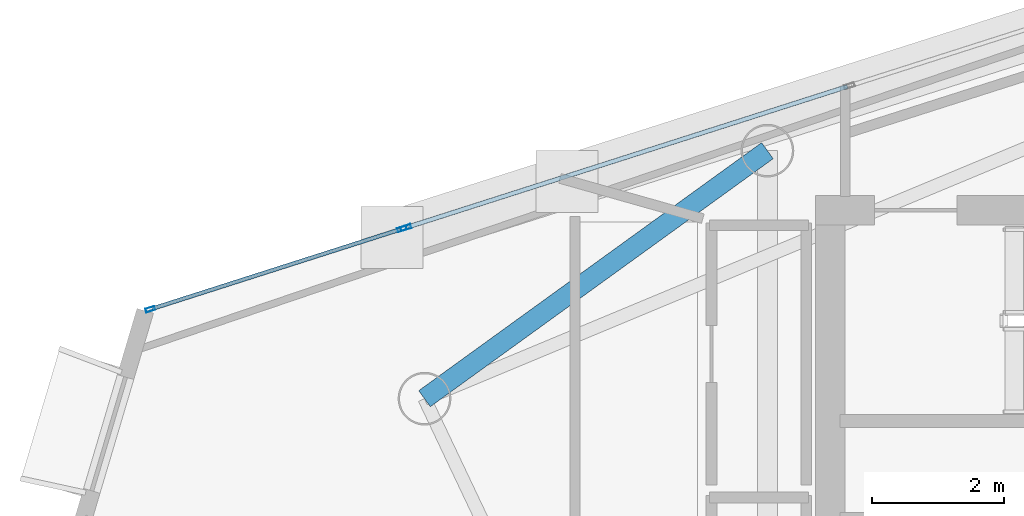
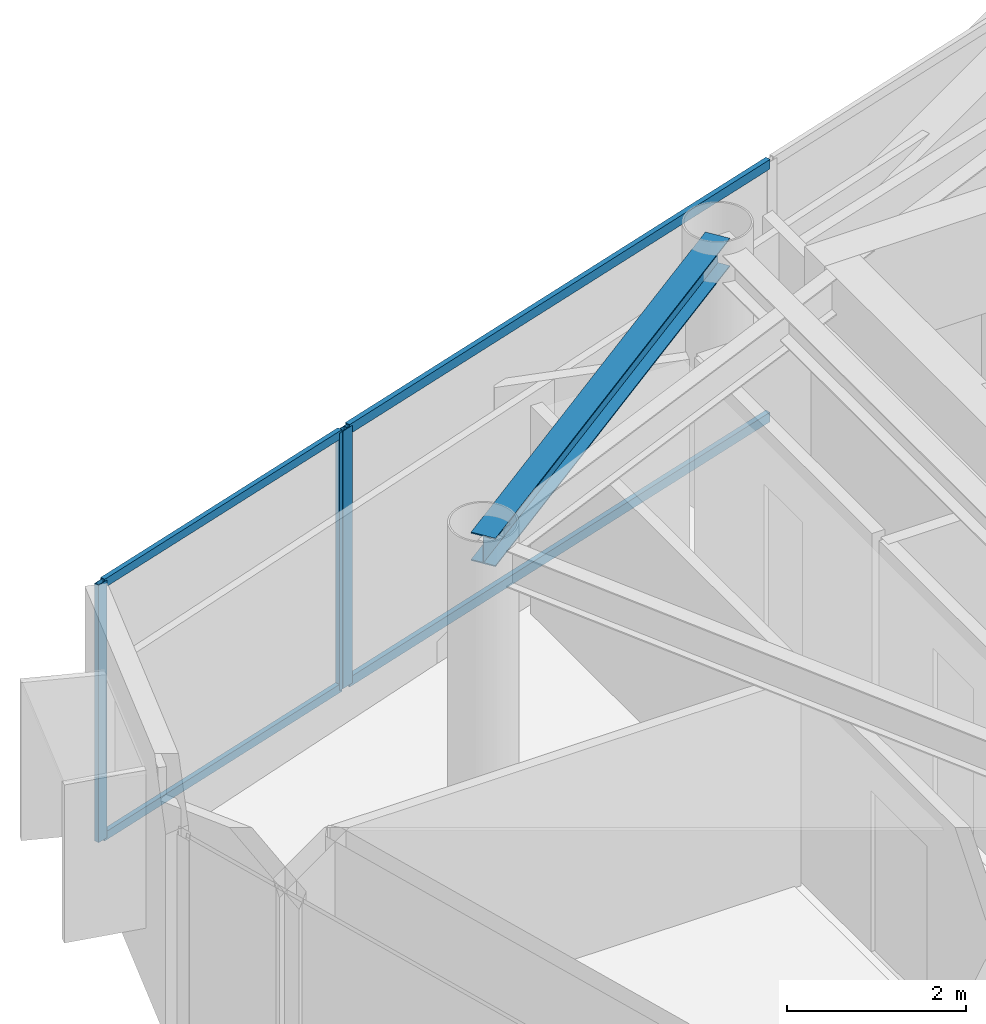
# One storey, part 8 of 19: 7 members, 1 beam, 2 elements without a shape of their own.
"""IFC4 building model written with IfcOpenShell, lengths in metres."""

import ifcopenshell
import ifcopenshell.guid

model = None  # the IFC model being written
_history = None  # IfcOwnerHistory: only IFC2X3 demands one
_inside = {}  # id of a spatial element -> (the spatial element, [elements in it])
_under = {}  # id of a project, library or spatial element -> (it, [spatial elements below it])
_declared = {}  # id of a project -> (the project, [libraries it declares])
_typed = {}  # id of a type object -> (the type object, [elements of that type])
_made_of = {}  # id of a material, layer set ... -> (it, [elements and type objects made of it])


def new_model(schema):
    """Start an empty IFC model of exactly this schema.

    Asked for "IFC4X3", IfcOpenShell would pick the latest addendum, in which some entities
    have other attributes; the version numbers below select the first issue.
    IFC2X3 requires an IfcOwnerHistory on every rooted entity: one is made here for all.
    """
    global model, _history
    if schema == "IFC4X3":
        model = ifcopenshell.file(schema_version=(4, 3, 0, 0))
    else:
        model = ifcopenshell.file(schema=schema)
    _inside.clear()
    _under.clear()
    _declared.clear()
    _typed.clear()
    _made_of.clear()
    _history = None
    if model.schema == "IFC2X3":
        org = make("IfcOrganization", Name="unknown")
        user = make(
            "IfcPersonAndOrganization",
            ThePerson=make("IfcPerson", FamilyName="unknown"),
            TheOrganization=org,
        )
        app = make(
            "IfcApplication",
            ApplicationDeveloper=org,
            Version="unknown",
            ApplicationFullName="unknown",
            ApplicationIdentifier="unknown",
        )
        _history = make(
            "IfcOwnerHistory",
            OwningUser=user,
            OwningApplication=app,
            ChangeAction="ADDED",
            CreationDate=0,
        )
    return model


def make(cls, **values):
    """One entity of the class cls with the attributes given. An attribute that is None is left unset."""
    return model.create_entity(
        cls, **{name: value for name, value in values.items() if value is not None}
    )


def rooted(cls, **values):
    """An entity with a GlobalId (a new one), such as an element, a storey or a relation."""
    return make(cls, GlobalId=ifcopenshell.guid.new(), OwnerHistory=_history, **values)


def si_unit(unit_type, name, prefix=None):
    """IfcSIUnit, for example si_unit("LENGTHUNIT", "METRE", prefix="MILLI")."""
    return make("IfcSIUnit", UnitType=unit_type, Prefix=prefix, Name=name)


def assignment(units):
    """IfcUnitAssignment: the units of a project."""
    return None if units is None else make("IfcUnitAssignment", Units=units)


def point(xyz):
    """IfcCartesianPoint."""
    return None if xyz is None else make("IfcCartesianPoint", Coordinates=xyz)


def direction(xyz):
    """IfcDirection."""
    return None if xyz is None else make("IfcDirection", DirectionRatios=xyz)


def frame(location, z_axis=None, x_axis=None):
    """IfcAxis2Placement3D, a coordinate frame: its origin and axes. An axis left out is left unset."""
    return make(
        "IfcAxis2Placement3D",
        Location=point(location),
        Axis=direction(z_axis),
        RefDirection=direction(x_axis),
    )


def frame_2d(location, x_axis=None):
    """IfcAxis2Placement2D, a coordinate frame in the plane: its origin and x axis."""
    return make(
        "IfcAxis2Placement2D", Location=point(location), RefDirection=direction(x_axis)
    )


def origin():
    """The frame at (0, 0, 0) with its axes left unset."""
    return frame((0.0, 0.0, 0.0))


def origin_2d():
    """The frame at (0, 0) in the plane with its x axis left unset."""
    return frame_2d((0.0, 0.0))


def place(relative_to, where):
    """IfcLocalPlacement: puts the frame where relative to a parent placement (None: the world)."""
    return make(
        "IfcLocalPlacement", PlacementRelTo=relative_to, RelativePlacement=where
    )


def context(
    kind, dimensions, precision=None, world=None, true_north=None, identifier=None
):
    """IfcGeometricRepresentationContext, for example the 3D "Model" context."""
    return make(
        "IfcGeometricRepresentationContext",
        ContextIdentifier=identifier,
        ContextType=kind,
        CoordinateSpaceDimension=dimensions,
        Precision=precision,
        WorldCoordinateSystem=world,
        TrueNorth=true_north,
    )


def subcontext(parent, identifier, kind, view, scale=None):
    """IfcGeometricRepresentationSubContext, for example "Body" below "Model"."""
    return make(
        "IfcGeometricRepresentationSubContext",
        ContextIdentifier=identifier,
        ContextType=kind,
        ParentContext=parent,
        TargetScale=scale,
        TargetView=view,
    )


def project(units=None, contexts=None):
    """IfcProject with its units and contexts."""
    return rooted(
        "IfcProject",
        Name="project",
        RepresentationContexts=contexts,
        UnitsInContext=assignment(units),
    )


def spatial(cls, under=None, at=None, **own):
    """A site, building, storey or space (cls), placed at a placement, below another one or the project."""
    s = rooted(cls, ObjectPlacement=at, **own)
    if under is not None:
        _under.setdefault(under.id(), (under, []))[1].append(s)
    return s


def profile(cls, at=None, kind="AREA", **sizes):
    """A parametric profile (cls). Its sizes go by their IFC names, for example OverallWidth=200.0."""
    return make(cls, ProfileType=kind, Position=at, **sizes)


def hollow_rectangle(**sizes):
    """IfcRectangleHollowProfileDef."""
    return profile("IfcRectangleHollowProfileDef", **sizes)


def i_section(**sizes):
    """IfcIShapeProfileDef."""
    return profile("IfcIShapeProfileDef", **sizes)


def extrude(swept, where, along, depth):
    """IfcExtrudedAreaSolid: the profile swept, set in the frame where, extruded along a direction by depth."""
    return make(
        "IfcExtrudedAreaSolid",
        SweptArea=swept,
        Position=where,
        ExtrudedDirection=direction(along),
        Depth=depth,
    )


def shape(context_of_items, identifier, shape_type, items):
    """IfcShapeRepresentation: the items that make up one representation, for example the "Body"."""
    return make(
        "IfcShapeRepresentation",
        ContextOfItems=context_of_items,
        RepresentationIdentifier=identifier,
        RepresentationType=shape_type,
        Items=items,
    )


def material(Name=None, Category=None):
    """IfcMaterial."""
    return make("IfcMaterial", Name=Name, Category=Category)


def layer(
    of_material, thickness, ventilated=None, Name=None, Category=None, Priority=None
):
    """IfcMaterialLayer: one layer of a wall or slab, of a material (None: an air gap)."""
    return make(
        "IfcMaterialLayer",
        Material=of_material,
        LayerThickness=thickness,
        IsVentilated=ventilated,
        Name=Name,
        Category=Category,
        Priority=Priority,
    )


def layer_set(layers, Name=None):
    """IfcMaterialLayerSet."""
    return make("IfcMaterialLayerSet", MaterialLayers=layers, LayerSetName=Name)


def material_profile(
    of_material, cross_section, Name=None, Category=None, Priority=None
):
    """IfcMaterialProfile: a cross section and its material."""
    return make(
        "IfcMaterialProfile",
        Name=Name,
        Material=of_material,
        Profile=cross_section,
        Priority=Priority,
        Category=Category,
    )


def profile_set(profiles, Name=None, composite=None):
    """IfcMaterialProfileSet."""
    return make(
        "IfcMaterialProfileSet",
        Name=Name,
        MaterialProfiles=profiles,
        CompositeProfile=composite,
    )


def made_of(thing, what):
    """Note that an element or type object is made of a material, layer set ...; save() writes the relation."""
    if what is not None:
        _made_of.setdefault(what.id(), (what, []))[1].append(thing)
    return thing


def type_object(cls, material=None, **own):
    """A type object (cls), such as IfcWallType, which elements share."""
    return made_of(rooted(cls, **own), material)


def element(
    cls,
    number,
    at=None,
    inside=None,
    cuts=None,
    type_object=None,
    material=None,
    context=None,
    identifier="Body",
    shape_type=None,
    held_by="IfcProductDefinitionShape",
    body=None,
    shapes=None,
    **own,
):
    """One element of the class cls, such as IfcWall. Its Tag is "e" and its number.

    at: its placement. inside: the storey or other place that contains it. cuts: it is an
    opening in that element (IfcRelVoidsElement). A single representation is given by context,
    identifier, shape_type and body (its items); several are given by shapes. held_by: the class
    of the entity that holds the representations. save() writes the other relations.
    """
    e = rooted(cls, Tag="e%d" % number, ObjectPlacement=at, **own)
    if body is not None:
        shapes = [shape(context, identifier, shape_type, body)]
    if shapes is not None:
        e.Representation = make(held_by, Representations=shapes)
    if inside is not None:
        _inside.setdefault(inside.id(), (inside, []))[1].append(e)
    if cuts is not None:
        rooted(
            "IfcRelVoidsElement", RelatingBuildingElement=cuts, RelatedOpeningElement=e
        )
    if type_object is not None:
        _typed.setdefault(type_object.id(), (type_object, []))[1].append(e)
    return made_of(e, material)


def aggregate(whole, parts):
    """IfcRelAggregates: a whole, such as a stair, and the parts it consists of."""
    return rooted("IfcRelAggregates", RelatingObject=whole, RelatedObjects=parts)


def save(model, path):
    """Write the relations noted so far, then the file.

    IfcRelAggregates (storeys below a building ...), IfcRelContainedInSpatialStructure (elements
    in a storey), IfcRelDefinesByType, IfcRelAssociatesMaterial and IfcRelDeclares: one each for
    every whole, place, type object, material and project.
    """
    for whole, parts in _under.values():
        aggregate(whole, parts)
    for where, things in _inside.values():
        rooted(
            "IfcRelContainedInSpatialStructure",
            RelatedElements=things,
            RelatingStructure=where,
        )
    for kind, things in _typed.values():
        rooted("IfcRelDefinesByType", RelatedObjects=things, RelatingType=kind)
    for what, things in _made_of.values():
        rooted("IfcRelAssociatesMaterial", RelatedObjects=things, RelatingMaterial=what)
    for by, libraries in _declared.values():
        rooted("IfcRelDeclares", RelatingContext=by, RelatedDefinitions=libraries)
    model.write(path)


model = new_model("IFC4")

# Units and contexts
model_context = context("Model", 3, precision=1e-05, world=origin(), true_north=direction((0.0, 1.0)))
body_context = subcontext(model_context, "Body", "Model", "MODEL_VIEW")
ifc_project = project(units=[si_unit("LENGTHUNIT", "METRE"), si_unit("AREAUNIT", "SQUARE_METRE"), si_unit("VOLUMEUNIT", "CUBIC_METRE"), si_unit("PLANEANGLEUNIT", "RADIAN"), si_unit("MASSUNIT", "GRAM", prefix="KILO")], contexts=[model_context])

# Site, building, storey
site_placement = place(None, origin())
site = spatial("IfcSite", under=ifc_project, at=site_placement, CompositionType="ELEMENT")
building_placement = place(site_placement, origin())
building = spatial("IfcBuilding", under=site, at=building_placement, Name="Qianvela Tower", CompositionType="ELEMENT")
storey_placement = place(building_placement, frame((0.0, 0.0, 329.60009765625)))
storey = spatial("IfcBuildingStorey", under=building, at=storey_placement, Name="L85", CompositionType="ELEMENT", Elevation=329.60009765625)

# Beam
ifc_material_1 = material(Name="Steel Q355B", Category="steel")
ifc_material_profile_1 = material_profile(ifc_material_1, i_section(OverallWidth=0.300048828125, OverallDepth=0.389892578125, WebThickness=0.010009765625, FlangeThickness=0.01611328125, at=origin_2d()), Name="HM390x300x10x16")
ifc_profile_set_1 = profile_set([ifc_material_profile_1], Name="Steel Q355B")
beam_type = type_object("IfcBeamType", Name="BM-HM390-COLL", PredefinedType="BEAM", material=ifc_profile_set_1)
beam_placement = place(storey_placement, frame((28.60009765625, 33.550048828125, 3.322998046875), z_axis=(-0.810287827692, -0.586032112, 0.0), x_axis=(0.586032112, -0.810287827692, 0.0)))
element("IfcBeam", 1, at=beam_placement, inside=storey, type_object=beam_type, Name="L85 Radial Primary Floor Girder 3", PredefinedType="BEAM", context=body_context, shape_type="SweptSolid", body=[
    extrude(i_section(OverallWidth=0.300048828125, OverallDepth=0.389892578125, WebThickness=0.010009765625, FlangeThickness=0.01611328125, at=origin_2d()), origin(), (0.0, 0.0, 1.0), 6.417724609375),
])

# Curtain wall, members
ifc_material_2 = material(Name="Anodised Architectural Aluminium and Insulated Spandrel Panel", Category="aluminium")
ifc_layer_1 = layer(ifc_material_2, 0.179931640625)
ifc_layer_set_1 = layer_set([ifc_layer_1], Name="Anodised Architectural Aluminium and Insulated Spandrel Panel")
curtain_wall_type_1 = type_object("IfcCurtainWallType", Name="CW-BRACEBAY", PredefinedType="USERDEFINED", material=ifc_layer_set_1)
curtain_wall_1_placement = place(storey_placement, origin())
curtain_wall_1 = element("IfcCurtainWall", 2, at=curtain_wall_1_placement, inside=storey, type_object=curtain_wall_type_1, Name="L85 CW-BRACEBAY Curtain Wall 02B", ObjectType="CURTAIN_WALL_SYSTEM", PredefinedType="USERDEFINED")
ifc_material_3 = material(Name="Anodised Architectural Aluminium 6063-T6", Category="aluminium")
ifc_material_profile_2 = material_profile(ifc_material_3, hollow_rectangle(XDim=0.06494140625, YDim=0.159912109375, WallThickness=0.0048828125, at=origin_2d()), Name="ALU-MULL-65x160")
ifc_profile_set_2 = profile_set([ifc_material_profile_2], Name="Anodised Architectural Aluminium 6063-T6")
member_type_1 = type_object("IfcMemberType", Name="CW-BRACEBAY-MULL", PredefinedType="MULLION", material=ifc_profile_set_2)
member_1_placement = place(storey_placement, frame((23.116943359375, 32.3828125, 0.0), z_axis=(0.0, 0.0, 1.0), x_axis=(0.304482674684, -0.952517874277, 0.0)))
member_1 = element("IfcMember", 3, at=member_1_placement, type_object=member_type_1, Name="CW-9 mullion 3", PredefinedType="MULLION", context=body_context, shape_type="SweptSolid", body=[
    extrude(hollow_rectangle(XDim=0.06494140625, YDim=0.159912109375, WallThickness=0.0048828125, at=origin_2d()), origin(), (0.0, 0.0, 1.0), 3.52001953125),
])
ifc_material_4 = material(Name="Anodised Architectural Aluminium 6063-T6", Category="aluminium")
ifc_material_profile_3 = material_profile(ifc_material_4, hollow_rectangle(XDim=0.06494140625, YDim=0.1298828125, WallThickness=0.00439453125, at=origin_2d()), Name="ALU-TRAN-65x130")
ifc_profile_set_3 = profile_set([ifc_material_profile_3], Name="Anodised Architectural Aluminium 6063-T6")
member_type_2 = type_object("IfcMemberType", Name="CW-BRACEBAY-TRAN", PredefinedType="USERDEFINED", material=ifc_profile_set_3)
member_2_placement = place(storey_placement, frame((29.813232421875, 34.523193359375, 0.032470703125), z_axis=(-0.952518490559, -0.304480746753, 0.0), x_axis=(0.304480746753, -0.952518490559, 0.0)))
member_2 = element("IfcMember", 4, at=member_2_placement, type_object=member_type_2, Name="CW-9 transom 2.1", ObjectType="TRANSOM", PredefinedType="USERDEFINED", context=body_context, shape_type="SweptSolid", body=[
    extrude(hollow_rectangle(XDim=0.06494140625, YDim=0.1298828125, WallThickness=0.00439453125, at=origin_2d()), origin(), (0.0, 0.0, 1.0), 6.99755859375),
])
member_3_placement = place(storey_placement, frame((29.813232421875, 34.523193359375, 3.4873046875), z_axis=(-0.952518490559, -0.304480746753, 0.0), x_axis=(0.304480746753, -0.952518490559, 0.0)))
member_3 = element("IfcMember", 5, at=member_3_placement, type_object=member_type_2, Name="CW-9 transom 2.2", ObjectType="TRANSOM", PredefinedType="USERDEFINED", context=body_context, shape_type="SweptSolid", body=[
    extrude(hollow_rectangle(XDim=0.06494140625, YDim=0.1298828125, WallThickness=0.00439453125, at=origin_2d()), origin(), (0.0, 0.0, 1.0), 6.99755859375),
])
aggregate(curtain_wall_1, [member_1, member_2, member_3])

ifc_material_5 = material(Name="Anodised Architectural Aluminium and Low-E Glass", Category="aluminium")
ifc_layer_2 = layer(ifc_material_5, 0.14990234375)
ifc_layer_set_2 = layer_set([ifc_layer_2], Name="Anodised Architectural Aluminium and Low-E Glass")
curtain_wall_type_2 = type_object("IfcCurtainWallType", Name="CW-COLIV-Z78", PredefinedType="USERDEFINED", material=ifc_layer_set_2)
curtain_wall_2_placement = place(storey_placement, origin())
curtain_wall_2 = element("IfcCurtainWall", 6, at=curtain_wall_2_placement, inside=storey, type_object=curtain_wall_type_2, Name="L85 CW-COLIV-Z78 Curtain Wall 02C", ObjectType="CURTAIN_WALL_SYSTEM", PredefinedType="USERDEFINED")
ifc_material_6 = material(Name="Anodised Architectural Aluminium 6063-T6", Category="aluminium")
ifc_material_profile_4 = material_profile(ifc_material_6, hollow_rectangle(XDim=0.06005859375, YDim=0.139892578125, WallThickness=0.00439453125, at=origin_2d()), Name="ALU-MULL-60x140")
ifc_profile_set_4 = profile_set([ifc_material_profile_4], Name="Anodised Architectural Aluminium 6063-T6")
member_type_3 = type_object("IfcMemberType", Name="CW-COLIV-Z78-MULL", PredefinedType="MULLION", material=ifc_profile_set_4)
member_4_placement = place(storey_placement, frame((23.057373046875, 32.36376953125, 0.0), z_axis=(0.0, 0.0, 1.0), x_axis=(0.304475966877, -0.952520018474, 0.0)))
member_4 = element("IfcMember", 7, at=member_4_placement, type_object=member_type_3, Name="CW-6 mullion 1", PredefinedType="MULLION", context=body_context, shape_type="SweptSolid", body=[
    extrude(hollow_rectangle(XDim=0.06005859375, YDim=0.139892578125, WallThickness=0.00439453125, at=origin_2d()), origin(), (0.0, 0.0, 1.0), 3.52001953125),
])
member_5_placement = place(storey_placement, frame((19.240478515625, 31.1435546875, 0.0), z_axis=(0.0, 0.0, 1.0), x_axis=(0.304475966877, -0.952520018474, 0.0)))
member_5 = element("IfcMember", 8, at=member_5_placement, type_object=member_type_3, Name="CW-6 mullion 2", PredefinedType="MULLION", context=body_context, shape_type="SweptSolid", body=[
    extrude(hollow_rectangle(XDim=0.06005859375, YDim=0.139892578125, WallThickness=0.00439453125, at=origin_2d()), origin(), (0.0, 0.0, 1.0), 3.52001953125),
])
ifc_material_7 = material(Name="Anodised Architectural Aluminium 6063-T6", Category="aluminium")
ifc_material_profile_5 = material_profile(ifc_material_7, hollow_rectangle(XDim=0.06005859375, YDim=0.114990234375, WallThickness=0.00390625, at=origin_2d()), Name="ALU-TRAN-60x115")
ifc_profile_set_5 = profile_set([ifc_material_profile_5], Name="Anodised Architectural Aluminium 6063-T6")
member_type_4 = type_object("IfcMemberType", Name="CW-COLIV-Z78-TRAN", PredefinedType="USERDEFINED", material=ifc_profile_set_5)
member_6_placement = place(storey_placement, frame((23.02880859375, 32.354736328125, 0.02978515625), z_axis=(-0.952513875914, -0.304495182541, 0.0), x_axis=(0.304495182541, -0.952513875914, 0.0)))
member_6 = element("IfcMember", 9, at=member_6_placement, type_object=member_type_4, Name="CW-6 transom 1.1", ObjectType="TRANSOM", PredefinedType="USERDEFINED", context=body_context, shape_type="SweptSolid", body=[
    extrude(hollow_rectangle(XDim=0.06005859375, YDim=0.114990234375, WallThickness=0.00390625, at=origin_2d()), origin(), (0.0, 0.0, 1.0), 3.947265625),
])
member_7_placement = place(storey_placement, frame((23.02880859375, 32.354736328125, 3.489990234375), z_axis=(-0.952513875914, -0.304495182541, 0.0), x_axis=(0.304495182541, -0.952513875914, 0.0)))
member_7 = element("IfcMember", 10, at=member_7_placement, type_object=member_type_4, Name="CW-6 transom 1.2", ObjectType="TRANSOM", PredefinedType="USERDEFINED", context=body_context, shape_type="SweptSolid", body=[
    extrude(hollow_rectangle(XDim=0.06005859375, YDim=0.114990234375, WallThickness=0.00390625, at=origin_2d()), origin(), (0.0, 0.0, 1.0), 3.947265625),
])
aggregate(curtain_wall_2, [member_4, member_5, member_6, member_7])

save(model, "model.ifc")
